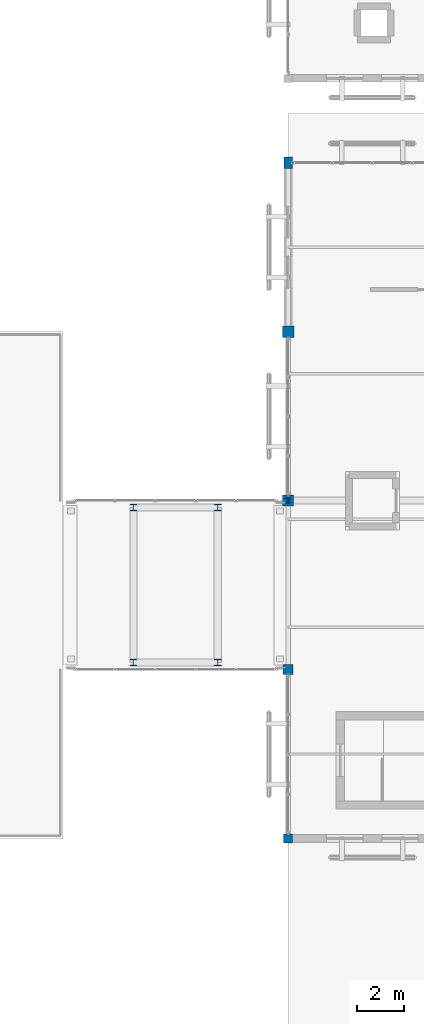
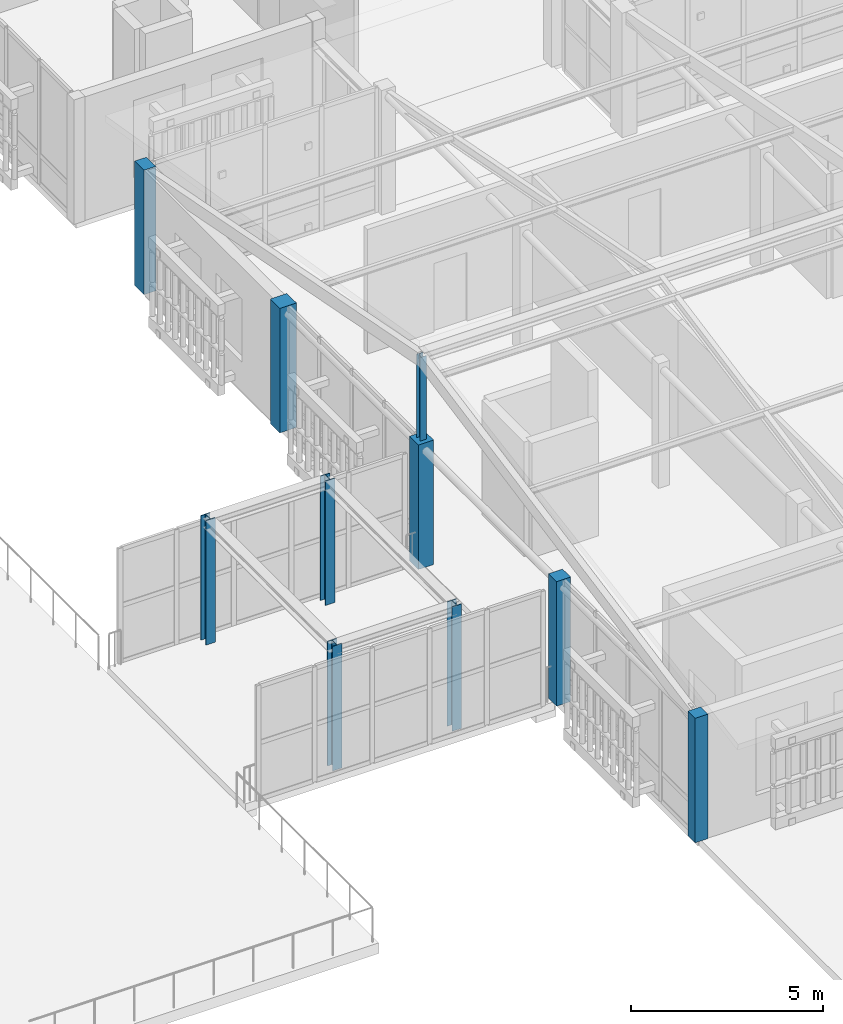
# One storey, part 5 of 112: 10 columns.
"""IFC4 building model written with IfcOpenShell, lengths in metres."""

from ifc_helpers import new_model, si_unit, direction, frame, origin, origin_2d, place, context, subcontext, project, spatial, rectangle, i_section, extrude, material, material_profile, profile_set, type_object, element, save


model = new_model("IFC4")

# Units and contexts
model_context = context("Model", 3, precision=1e-05, world=origin(), true_north=direction((0.0, 1.0)))
body_context = subcontext(model_context, "Body", "Model", "MODEL_VIEW")
ifc_project = project(units=[si_unit("LENGTHUNIT", "METRE"), si_unit("AREAUNIT", "SQUARE_METRE"), si_unit("VOLUMEUNIT", "CUBIC_METRE"), si_unit("PLANEANGLEUNIT", "RADIAN"), si_unit("MASSUNIT", "GRAM", prefix="KILO")], contexts=[model_context])

# Site, building, storey
site_placement = place(None, origin())
site = spatial("IfcSite", under=ifc_project, at=site_placement, CompositionType="ELEMENT")
building_placement = place(site_placement, origin())
building = spatial("IfcBuilding", under=site, at=building_placement, Name="Mazaris Harbour Polytechnic", CompositionType="ELEMENT")
storey_placement = place(building_placement, frame((0.0, 0.0, 13.800048828125)))
storey = spatial("IfcBuildingStorey", under=building, at=storey_placement, Name="L03", CompositionType="ELEMENT", Elevation=13.800048828125)

# Columns
ifc_material_1 = material(Name="Glulam GL28h", Category="wood")
ifc_material_profile_1 = material_profile(ifc_material_1, rectangle(XDim=0.360107421875, YDim=0.47998046875, at=origin_2d()), Name="RECT360x480")
ifc_profile_set_1 = profile_set([ifc_material_profile_1], Name="Glulam GL28h")
column_type_1 = type_object("IfcColumnType", Name="Glulam Column 360x480 Exterior", PredefinedType="COLUMN", material=ifc_profile_set_1)
column_1_placement = place(storey_placement, frame((122.39990234375, 43.199951171875, 0.0), z_axis=(0.0, 0.0, 1.0), x_axis=(1.0, 0.0, 0.0)))
element("IfcColumn", 1, at=column_1_placement, inside=storey, type_object=column_type_1, Name="V2 L03 Column 357", PredefinedType="COLUMN", context=body_context, shape_type="SweptSolid", body=[
    extrude(rectangle(XDim=0.360107421875, YDim=0.47998046875, at=origin_2d()), origin(), (0.0, 0.0, 1.0), 3.9599609375),
])
ifc_material_2 = material(Name="Glulam GL28h", Category="wood")
ifc_material_profile_2 = material_profile(ifc_material_2, rectangle(XDim=0.3798828125, YDim=0.3798828125, at=origin_2d()), Name="RECT380x380")
ifc_profile_set_2 = profile_set([ifc_material_profile_2], Name="Glulam GL28h")
column_type_2 = type_object("IfcColumnType", Name="Glulam Column 380x380 Exterior", PredefinedType="COLUMN", material=ifc_profile_set_2)
column_2_placement = place(storey_placement, frame((122.39990234375, 14.39990234375, 0.0), z_axis=(0.0, 0.0, 1.0), x_axis=(1.0, 0.0, 0.0)))
element("IfcColumn", 2, at=column_2_placement, inside=storey, type_object=column_type_2, Name="V2 L03 Column 353", PredefinedType="COLUMN", context=body_context, shape_type="SweptSolid", body=[
    extrude(rectangle(XDim=0.3798828125, YDim=0.3798828125, at=origin_2d()), origin(), (0.0, 0.0, 1.0), 3.9599609375),
])
ifc_material_3 = material(Name="Glulam GL28h", Category="wood")
ifc_material_profile_3 = material_profile(ifc_material_3, rectangle(XDim=0.419921875, YDim=0.419921875, at=origin_2d()), Name="RECT420x420")
ifc_profile_set_3 = profile_set([ifc_material_profile_3], Name="Glulam GL28h")
column_type_3 = type_object("IfcColumnType", Name="Glulam Column 420x420 Exterior", PredefinedType="COLUMN", material=ifc_profile_set_3)
column_3_placement = place(storey_placement, frame((122.39990234375, 21.60009765625, 0.0), z_axis=(0.0, 0.0, 1.0), x_axis=(1.0, 0.0, 0.0)))
element("IfcColumn", 3, at=column_3_placement, inside=storey, type_object=column_type_3, Name="V2 L03 Column 354", PredefinedType="COLUMN", context=body_context, shape_type="SweptSolid", body=[
    extrude(rectangle(XDim=0.419921875, YDim=0.419921875, at=origin_2d()), origin(), (0.0, 0.0, 1.0), 3.9599609375),
])
ifc_material_4 = material(Name="Glulam GL28h", Category="wood")
ifc_material_profile_4 = material_profile(ifc_material_4, rectangle(XDim=0.4599609375, YDim=0.4599609375, at=origin_2d()), Name="RECT460x460")
ifc_profile_set_4 = profile_set([ifc_material_profile_4], Name="Glulam GL28h")
column_type_4 = type_object("IfcColumnType", Name="Glulam Column 460x460 Exterior", PredefinedType="COLUMN", material=ifc_profile_set_4)
column_4_placement = place(storey_placement, frame((122.39990234375, 28.800048828125, 0.0), z_axis=(0.0, 0.0, 1.0), x_axis=(1.0, 0.0, 0.0)))
element("IfcColumn", 4, at=column_4_placement, inside=storey, type_object=column_type_4, Name="V2 L03 Column 355", PredefinedType="COLUMN", context=body_context, shape_type="SweptSolid", body=[
    extrude(rectangle(XDim=0.4599609375, YDim=0.4599609375, at=origin_2d()), origin(), (0.0, 0.0, 1.0), 3.9599609375),
])
ifc_material_5 = material(Name="Glulam GL28h", Category="wood")
ifc_material_profile_5 = material_profile(ifc_material_5, rectangle(XDim=0.5, YDim=0.5, at=origin_2d()), Name="RECT500x500")
ifc_profile_set_5 = profile_set([ifc_material_profile_5], Name="Glulam GL28h")
column_type_5 = type_object("IfcColumnType", Name="Glulam Column 500x500 Exterior", PredefinedType="COLUMN", material=ifc_profile_set_5)
column_5_placement = place(storey_placement, frame((122.39990234375, 36.0, 0.0), z_axis=(0.0, 0.0, 1.0), x_axis=(1.0, 0.0, 0.0)))
element("IfcColumn", 5, at=column_5_placement, inside=storey, type_object=column_type_5, Name="V2 L03 Column 356", PredefinedType="COLUMN", context=body_context, shape_type="SweptSolid", body=[
    extrude(rectangle(XDim=0.5, YDim=0.5, at=origin_2d()), origin(), (0.0, 0.0, 1.0), 3.9599609375),
])
ifc_material_6 = material(Name="Steel S355", Category="steel")
ifc_material_profile_6 = material_profile(ifc_material_6, i_section(OverallWidth=0.199951171875, OverallDepth=0.199951171875, WebThickness=0.009033203125, FlangeThickness=0.014892578125, FilletRadius=0.01806640625, at=origin_2d()), Name="HEB 200")
ifc_profile_set_6 = profile_set([ifc_material_profile_6], Name="Steel S355")
column_type_6 = type_object("IfcColumnType", Name="Steel Column HEB200", PredefinedType="COLUMN", material=ifc_profile_set_6)
column_6_placement = place(storey_placement, frame((122.39990234375, 28.800048828125, 3.9599609375), z_axis=(0.0, 0.0, 1.0), x_axis=(1.0, 0.0, 0.0)))
element("IfcColumn", 6, at=column_6_placement, inside=storey, type_object=column_type_6, Name="V2 Pavilion Ridge King Post 122.4", PredefinedType="COLUMN", context=body_context, shape_type="SweptSolid", body=[
    extrude(i_section(OverallWidth=0.199951171875, OverallDepth=0.199951171875, WebThickness=0.009033203125, FlangeThickness=0.014892578125, FilletRadius=0.01806640625, at=origin_2d()), origin(), (0.0, 0.0, 1.0), 2.655029296875),
])
ifc_material_7 = material(Name="Steel S355", Category="steel")
ifc_material_profile_7 = material_profile(ifc_material_7, i_section(OverallWidth=0.280029296875, OverallDepth=0.280029296875, WebThickness=0.010498046875, FlangeThickness=0.01806640625, FilletRadius=0.02392578125, at=origin_2d()), Name="HEB 280")
ifc_profile_set_7 = profile_set([ifc_material_profile_7], Name="Steel S355")
column_type_7 = type_object("IfcColumnType", Name="Steel Column HEB280 Exterior", PredefinedType="COLUMN", material=ifc_profile_set_7)
for number, where, z_axis, x_axis, name in (
    (7, (115.800048828125, 21.89990234375, 0.0), (0.0, 0.0, 1.0), (1.0, 0.0, 0.0), "PB-E1 L03 Bridge Column 1560"),
    (8, (119.39990234375, 21.89990234375, 0.0), (0.0, 0.0, 1.0), (1.0, 0.0, 0.0), "PB-E1 L03 Bridge Column 1561"),
    (9, (115.800048828125, 28.5, 0.0), (0.0, 0.0, 1.0), (1.0, 0.0, 0.0), "PB-E1 L03 Bridge Column 1562"),
    (10, (119.39990234375, 28.5, 0.0), (0.0, 0.0, 1.0), (1.0, 0.0, 0.0), "PB-E1 L03 Bridge Column 1563"),
):
    element("IfcColumn", number, at=place(storey_placement, frame(where, z_axis=z_axis, x_axis=x_axis)), inside=storey, type_object=column_type_7, Name=name, PredefinedType="COLUMN", context=body_context, shape_type="SweptSolid", body=[
        extrude(i_section(OverallWidth=0.280029296875, OverallDepth=0.280029296875, WebThickness=0.010498046875, FlangeThickness=0.01806640625, FilletRadius=0.02392578125, at=origin_2d()), origin(), (0.0, 0.0, 1.0), 3.9599609375),
    ])

save(model, "model.ifc")
